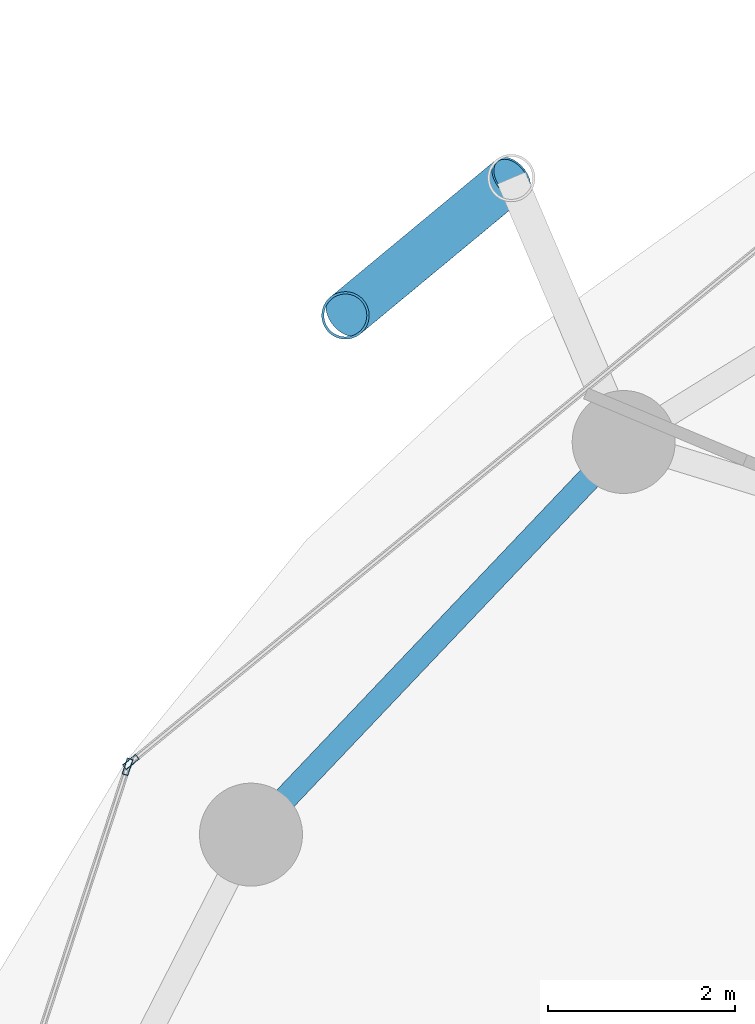
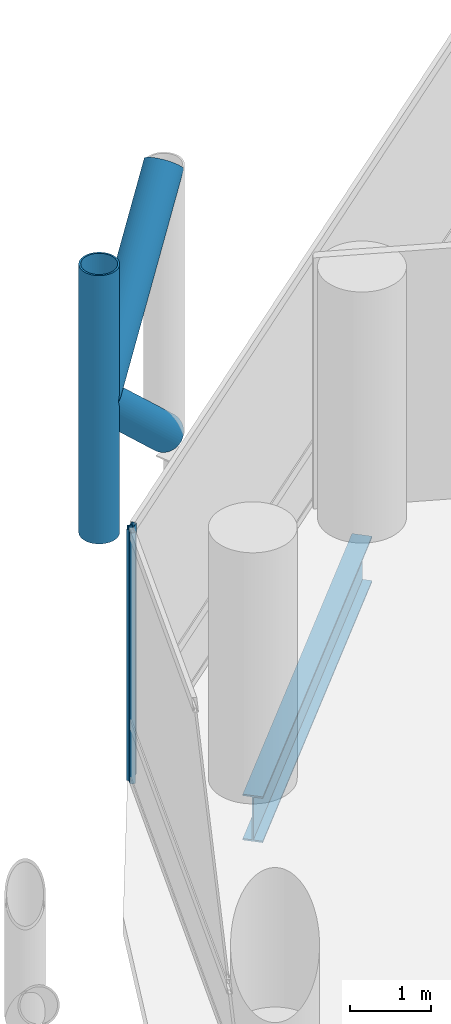
# One storey, part 13 of 25: 5 members, 1 beam, 2 elements without a shape of their own.
"""IFC4 building model written with IfcOpenShell, lengths in metres."""

from ifc_helpers import new_model, si_unit, direction, frame, origin, origin_2d, place, context, subcontext, project, spatial, hollow_rectangle, hollow_circle, i_section, extrude, material, layer, layer_set, material_profile, profile_set, type_object, element, aggregate, save


model = new_model("IFC4")

# Units and contexts
model_context = context("Model", 3, precision=1e-05, world=origin(), true_north=direction((0.0, 1.0)))
body_context = subcontext(model_context, "Body", "Model", "MODEL_VIEW")
ifc_project = project(units=[si_unit("LENGTHUNIT", "METRE"), si_unit("AREAUNIT", "SQUARE_METRE"), si_unit("VOLUMEUNIT", "CUBIC_METRE"), si_unit("PLANEANGLEUNIT", "RADIAN"), si_unit("MASSUNIT", "GRAM", prefix="KILO")], contexts=[model_context])

# Site, building, storey
site_placement = place(None, origin())
site = spatial("IfcSite", under=ifc_project, at=site_placement, CompositionType="ELEMENT")
building_placement = place(site_placement, origin())
building = spatial("IfcBuilding", under=site, at=building_placement, Name="Nuhasar Tower", CompositionType="ELEMENT")
storey_placement = place(building_placement, frame((0.0, 0.0, 49.35009765625)))
storey = spatial("IfcBuildingStorey", under=building, at=storey_placement, Name="L11", CompositionType="ELEMENT", Elevation=49.35009765625)

# Beam
ifc_material_1 = material(Name="Steel S355", Category="steel")
ifc_material_profile_1 = material_profile(ifc_material_1, i_section(OverallWidth=0.256103515625, OverallDepth=0.693115234375, WebThickness=0.014404296875, FlangeThickness=0.023681640625, at=origin_2d()), Name="W27X114")
ifc_profile_set_1 = profile_set([ifc_material_profile_1], Name="Steel S355")
beam_type = type_object("IfcBeamType", Name="BM-RING-W27X114", PredefinedType="SPANDREL", material=ifc_profile_set_1)
beam_placement = place(storey_placement, frame((21.287109375, 41.118896484375, -0.606201171875), z_axis=(-0.688480893507, -0.725254478976, 0.0), x_axis=(0.725254478976, -0.688480893507, 0.0)))
element("IfcBeam", 1, at=beam_placement, inside=storey, type_object=beam_type, Name="L11 Perimeter Ring Spandrel 10", PredefinedType="SPANDREL", context=body_context, shape_type="SweptSolid", body=[
    extrude(i_section(OverallWidth=0.256103515625, OverallDepth=0.693115234375, WebThickness=0.014404296875, FlangeThickness=0.023681640625, at=origin_2d()), origin(), (0.0, 0.0, 1.0), 5.782470703125),
])

# Curtain wall, member
ifc_material_2 = material(Name="Aluminium 6063-T6", Category="aluminium")
ifc_layer = layer(ifc_material_2, 0.199951171875)
ifc_layer_set = layer_set([ifc_layer], Name="Aluminium 6063-T6")
curtain_wall_type = type_object("IfcCurtainWallType", Name="CW-Z1-OFF", PredefinedType="NOTDEFINED", material=ifc_layer_set)
curtain_wall_1_placement = place(storey_placement, origin())
curtain_wall_1 = element("IfcCurtainWall", 2, at=curtain_wall_1_placement, inside=storey, type_object=curtain_wall_type, Name="L11 Unitised Curtain Wall 05", PredefinedType="NOTDEFINED")
ifc_material_profile_2 = material_profile(ifc_material_2, hollow_rectangle(XDim=0.06494140625, YDim=0.179931640625, WallThickness=0.0048828125, at=origin_2d()), Name="CWM-2")
ifc_profile_set_2 = profile_set([ifc_material_profile_2], Name="Aluminium 6063-T6")
member_type_1 = type_object("IfcMemberType", Name="CW-MUL-S2", PredefinedType="MULLION", material=ifc_profile_set_2)
member_1_placement = place(storey_placement, frame((16.023193359375, 37.70068359375, 0.0), z_axis=(0.0, 0.0, 1.0), x_axis=(0.633744593376, -0.773542364946, 0.0)))
member_1 = element("IfcMember", 3, at=member_1_placement, type_object=member_type_1, Name="CW-Z1 mullion 2", PredefinedType="MULLION", context=body_context, shape_type="SweptSolid", body=[
    extrude(hollow_rectangle(XDim=0.06494140625, YDim=0.179931640625, WallThickness=0.0048828125, at=origin_2d()), origin(), (0.0, 0.0, 1.0), 3.789794921875),
])
aggregate(curtain_wall_1, [member_1])

curtain_wall_2_placement = place(storey_placement, origin())
curtain_wall_2 = element("IfcCurtainWall", 4, at=curtain_wall_2_placement, inside=storey, type_object=curtain_wall_type, Name="L11 Unitised Curtain Wall 06", PredefinedType="NOTDEFINED")
member_2_placement = place(storey_placement, frame((15.98779296875, 37.649169921875, 0.0), z_axis=(0.0, 0.0, 1.0), x_axis=(0.950467534571, -0.310823849997, 0.0)))
member_2 = element("IfcMember", 5, at=member_2_placement, type_object=member_type_1, Name="CW-Z1 mullion 1", PredefinedType="MULLION", context=body_context, shape_type="SweptSolid", body=[
    extrude(hollow_rectangle(XDim=0.06494140625, YDim=0.179931640625, WallThickness=0.0048828125, at=origin_2d()), origin(), (0.0, 0.0, 1.0), 3.789794921875),
])
aggregate(curtain_wall_2, [member_2])

# Members
ifc_material_3 = material(Name="Steel S460", Category="steel")
ifc_material_profile_3 = material_profile(ifc_material_3, hollow_circle(Radius=0.25390625, WallThickness=0.025390625, at=origin_2d()), Name="HSS508X25.4")
ifc_profile_set_3 = profile_set([ifc_material_profile_3], Name="Steel S460")
member_type_2 = type_object("IfcMemberType", Name="EXO-BRONZE-508", PredefinedType="BRACE", material=ifc_profile_set_3)
member_3_placement = place(storey_placement, frame((18.31494140625, 42.470947265625, 0.0), z_axis=(0.0, 0.0, 1.0), x_axis=(1.0, 0.0, 0.0)))
element("IfcMember", 6, at=member_3_placement, inside=storey, type_object=member_type_2, Name="L11 Exoskeleton Chord Column EC-05B", PredefinedType="BRACE", context=body_context, shape_type="SweptSolid", body=[
    extrude(hollow_circle(Radius=0.25390625, WallThickness=0.025390625, at=origin_2d()), origin(), (0.0, 0.0, 1.0), 4.0498046875),
])
for number, where, z_axis, x_axis, name in (
    (7, (20.0869140625, 43.93896484375, 0.0), (-0.578101613167, -0.478937034992, 0.660619286251), (0.637969333506, -0.770061769929, 0.0), "L11 Bronze Diagrid Brace W1-05"),
    (8, (18.31494140625, 42.470947265625, 2.02490234375), (0.578101613167, 0.478937034992, 0.660619286251), (-0.637969333506, 0.770061769929, 0.0), "L11 Bronze Diagrid Brace W2-05"),
):
    element("IfcMember", number, at=place(storey_placement, frame(where, z_axis=z_axis, x_axis=x_axis)), inside=storey, type_object=member_type_2, Name=name, PredefinedType="BRACE", context=body_context, shape_type="SweptSolid", body=[
        extrude(hollow_circle(Radius=0.25390625, WallThickness=0.025390625, at=origin_2d()), origin(), (0.0, 0.0, 1.0), 3.065185546875),
    ])

save(model, "model.ifc")
